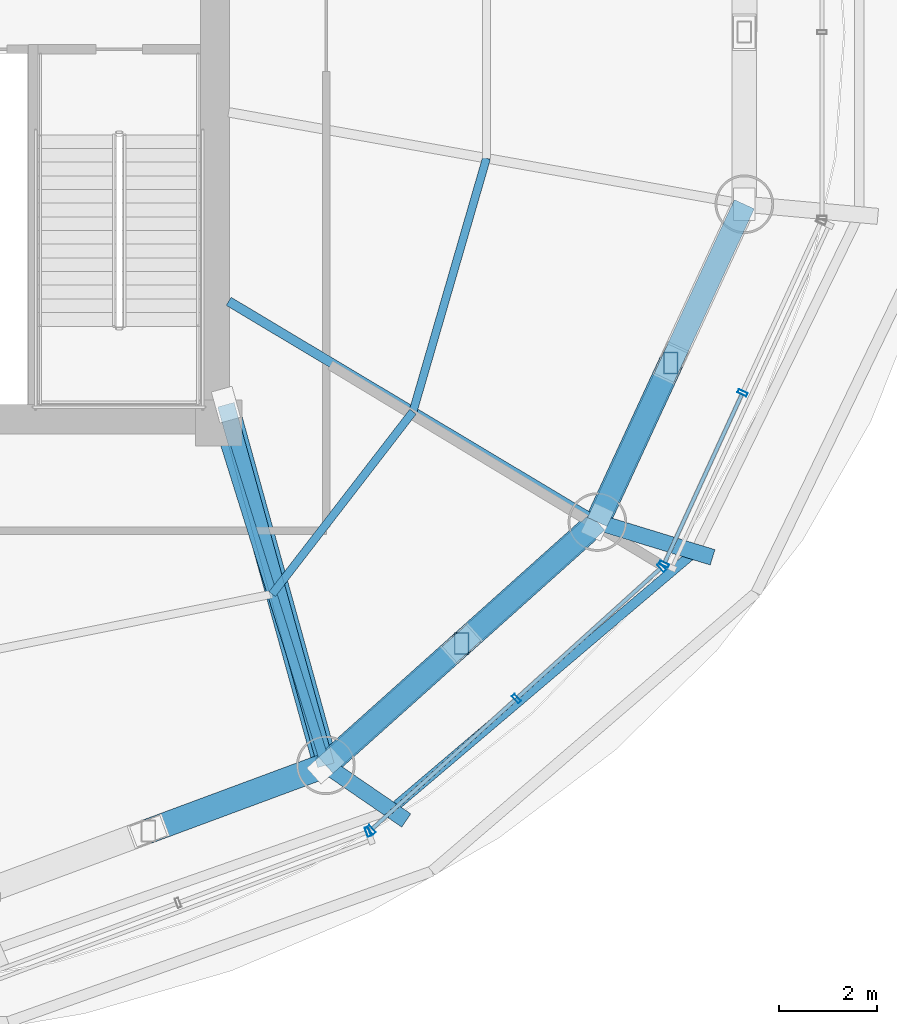
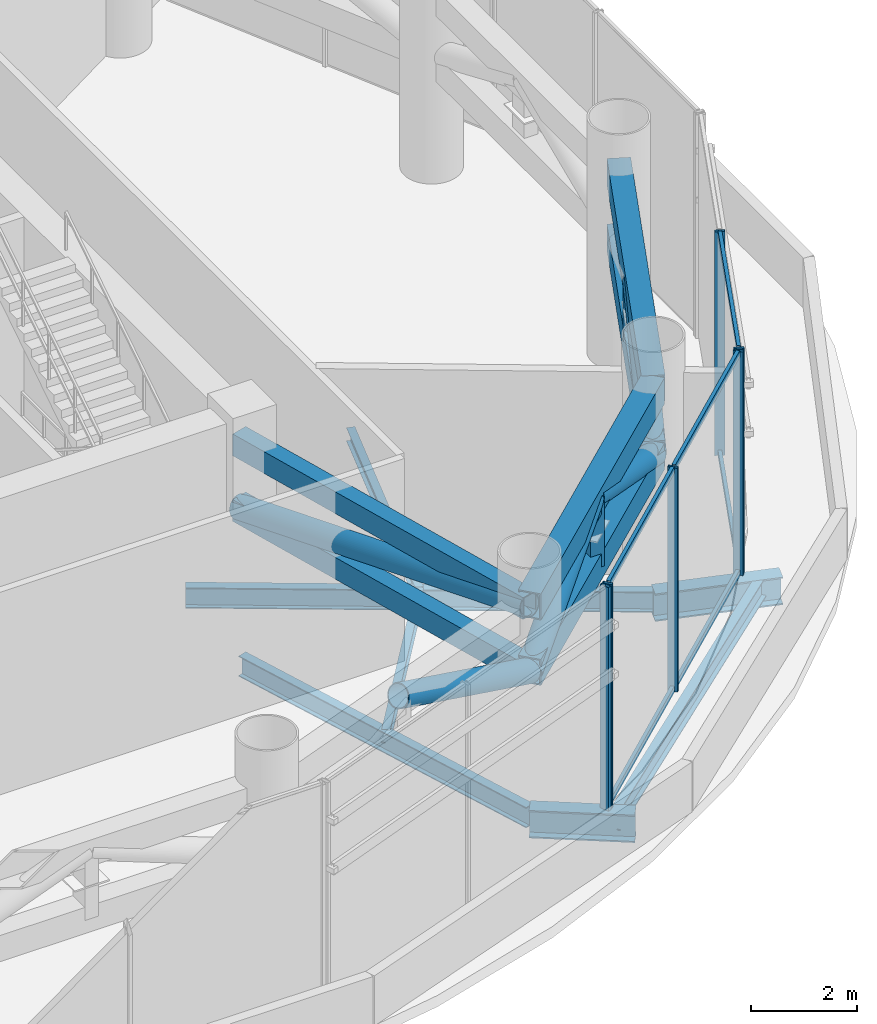
# One storey, part 10 of 25: 25 members, 7 beams, 3 elements without a shape of their own.
"""IFC4 building model written with IfcOpenShell, lengths in metres."""

from ifc_helpers import new_model, si_unit, direction, frame, origin, origin_2d, place, context, subcontext, project, spatial, hollow_rectangle, hollow_circle, i_section, extrude, source, transform, mapped, material, material_profile, profile_set, type_object, element, aggregate, save


model = new_model("IFC4")

# Units and contexts
model_context = context("Model", 3, precision=1e-05, world=origin(), true_north=direction((-0.2419218956, 0.970295726276)))
body_context = subcontext(model_context, "Body", "Model", "MODEL_VIEW")
ifc_project = project(units=[si_unit("LENGTHUNIT", "METRE"), si_unit("AREAUNIT", "SQUARE_METRE"), si_unit("VOLUMEUNIT", "CUBIC_METRE"), si_unit("PLANEANGLEUNIT", "RADIAN"), si_unit("MASSUNIT", "GRAM", prefix="KILO")], contexts=[model_context])

# Site, building, storey
site_placement = place(None, origin())
site = spatial("IfcSite", under=ifc_project, at=site_placement, CompositionType="ELEMENT")
building_placement = place(site_placement, origin())
building = spatial("IfcBuilding", under=site, at=building_placement, Name="Cobrevalo Terracotta Tower", CompositionType="ELEMENT")
storey_placement = place(building_placement, frame((0.0, 0.0, 185.800048828125)))
storey = spatial("IfcBuildingStorey", under=building, at=storey_placement, Name="L49", CompositionType="ELEMENT", Elevation=185.800048828125)

# Beams
ifc_material_1 = material(Name="Steel S355", Category="steel")
ifc_material_profile_1 = material_profile(ifc_material_1, i_section(OverallWidth=0.194091796875, OverallDepth=0.468994140625, WebThickness=0.011474609375, FlangeThickness=0.0205078125, at=origin_2d()), Name="W 460x106")
ifc_profile_set_1 = profile_set([ifc_material_profile_1], Name="Steel S355")
beam_type_1 = type_object("IfcBeamType", Name="Structural Beam W 460x106 (Steel S355)", PredefinedType="BEAM", material=ifc_profile_set_1)
beam_1_placement = place(storey_placement, frame((49.19482421875, 11.7919921875, -0.6845703125), z_axis=(-0.298871212691, 0.954293454984, 0.0), x_axis=(-0.954293454984, -0.298871212691, 0.0)))
element("IfcBeam", 1, at=beam_1_placement, inside=storey, type_object=beam_type_1, Name="L49 radial floor girder 14", PredefinedType="BEAM", context=body_context, shape_type="SweptSolid", body=[
    extrude(i_section(OverallWidth=0.194091796875, OverallDepth=0.468994140625, WebThickness=0.011474609375, FlangeThickness=0.0205078125, at=origin_2d()), origin(), (0.0, 0.0, 1.0), 7.34375),
])
beam_2_placement = place(storey_placement, frame((54.754150390625, 16.77197265625, -0.6845703125), z_axis=(-0.858038452613, 0.513585449402, 0.0), x_axis=(-0.513585449402, -0.858038452613, 0.0)))
element("IfcBeam", 2, at=beam_2_placement, inside=storey, type_object=beam_type_1, Name="L49 radial floor girder 15", PredefinedType="BEAM", context=body_context, shape_type="SweptSolid", body=[
    extrude(i_section(OverallWidth=0.194091796875, OverallDepth=0.468994140625, WebThickness=0.011474609375, FlangeThickness=0.0205078125, at=origin_2d()), origin(), (0.0, 0.0, 1.0), 8.798095703125),
])
ifc_material_profile_2 = material_profile(ifc_material_1, i_section(OverallWidth=0.3291015625, OverallDepth=0.635009765625, WebThickness=0.017822265625, FlangeThickness=0.031005859375, at=origin_2d()), Name="W 610x241")
ifc_profile_set_2 = profile_set([ifc_material_profile_2], Name="Steel S355")
beam_type_2 = type_object("IfcBeamType", Name="Structural Beam W 610x241 (Steel S355)", PredefinedType="BEAM", material=ifc_profile_set_2)
beam_3_placement = place(storey_placement, frame((50.841552734375, 10.662353515625, -0.767578125), z_axis=(-0.824622940219, 0.565682779006, 0.0), x_axis=(-0.565682779006, -0.824622940219, 0.0)))
element("IfcBeam", 3, at=beam_3_placement, inside=storey, type_object=beam_type_2, Name="L49 setback step-link girder 14", PredefinedType="BEAM", context=body_context, shape_type="SweptSolid", body=[
    extrude(i_section(OverallWidth=0.3291015625, OverallDepth=0.635009765625, WebThickness=0.017822265625, FlangeThickness=0.031005859375, at=origin_2d()), origin(), (0.0, 0.0, 1.0), 1.996826171875),
])
beam_4_placement = place(storey_placement, frame((57.113037109375, 16.049560546875, -0.767578125), z_axis=(-0.956165466877, 0.292826911249, 0.0), x_axis=(-0.292826911249, -0.956165466877, 0.0)))
element("IfcBeam", 4, at=beam_4_placement, inside=storey, type_object=beam_type_2, Name="L49 setback step-link girder 15", PredefinedType="BEAM", context=body_context, shape_type="SweptSolid", body=[
    extrude(i_section(OverallWidth=0.3291015625, OverallDepth=0.635009765625, WebThickness=0.017822265625, FlangeThickness=0.031005859375, at=origin_2d()), origin(), (0.0, 0.0, 1.0), 2.467041015625),
])
ifc_material_profile_3 = material_profile(ifc_material_1, i_section(OverallWidth=0.1650390625, OverallDepth=0.31005859375, WebThickness=0.005859375, FlangeThickness=0.009765625, at=origin_2d()), Name="W 310x38.7")
ifc_profile_set_3 = profile_set([ifc_material_profile_3], Name="Steel S355")
beam_type_3 = type_object("IfcBeamType", Name="Structural Joist W 310x38.7 (Steel S355)", PredefinedType="JOIST", material=ifc_profile_set_3)
beam_5_placement = place(storey_placement, frame((48.097412109375, 15.2958984375, -0.60498046875), z_axis=(0.61087296872, 0.791728625279, 0.0), x_axis=(-0.791728625279, 0.61087296872, 0.0)))
element("IfcBeam", 5, at=beam_5_placement, inside=storey, type_object=beam_type_3, Name="L49 circumferential secondary floor joist 14", PredefinedType="JOIST", context=body_context, shape_type="SweptSolid", body=[
    extrude(i_section(OverallWidth=0.1650390625, OverallDepth=0.31005859375, WebThickness=0.005859375, FlangeThickness=0.009765625, at=origin_2d()), origin(), (0.0, 0.0, 1.0), 4.718017578125),
])
beam_6_placement = place(storey_placement, frame((50.9794921875, 19.03125, -0.60498046875), z_axis=(0.278503604802, 0.960435183712, 0.0), x_axis=(-0.960435183712, 0.278503604802, 0.0)))
element("IfcBeam", 6, at=beam_6_placement, inside=storey, type_object=beam_type_3, Name="L49 circumferential secondary floor joist 15", PredefinedType="JOIST", context=body_context, shape_type="SweptSolid", body=[
    extrude(i_section(OverallWidth=0.1650390625, OverallDepth=0.31005859375, WebThickness=0.005859375, FlangeThickness=0.009765625, at=origin_2d()), origin(), (0.0, 0.0, 1.0), 5.401611328125),
])
ifc_material_profile_4 = material_profile(ifc_material_1, i_section(OverallWidth=0.194091796875, OverallDepth=0.468994140625, WebThickness=0.011474609375, FlangeThickness=0.0205078125, at=origin_2d()), Name="W 460x106")
ifc_profile_set_4 = profile_set([ifc_material_profile_4], Name="Steel S355")
beam_type_4 = type_object("IfcBeamType", Name="Structural Spandrel W 460x106 (Steel S355)", PredefinedType="SPANDREL", material=ifc_profile_set_4)
beam_7_placement = place(storey_placement, frame((50.528076171875, 10.87744140625, -0.6845703125), z_axis=(0.762240337798, 0.647294112003, 0.0), x_axis=(-0.647294112003, 0.762240337798, 0.0)))
element("IfcBeam", 7, at=beam_7_placement, inside=storey, type_object=beam_type_4, Name="L49 perimeter ring spandrel 14", PredefinedType="SPANDREL", context=body_context, shape_type="SweptSolid", body=[
    extrude(i_section(OverallWidth=0.194091796875, OverallDepth=0.468994140625, WebThickness=0.011474609375, FlangeThickness=0.0205078125, at=origin_2d()), origin(), (0.0, 0.0, 1.0), 8.162353515625),
])

# Members
ifc_material_profile_5 = material_profile(ifc_material_1, hollow_rectangle(XDim=0.449951171875, YDim=0.60009765625, WallThickness=0.028076171875, at=origin_2d()), Name="RHS 600x450x28")
ifc_profile_set_5 = profile_set([ifc_material_profile_5], Name="Steel S355")
member_type_1 = type_object("IfcMemberType", Name="Steel Chord RHS 600x450x28 (Steel S355)", PredefinedType="CHORD", material=ifc_profile_set_5)
shared_shape_1 = source(origin(), body_context, "Body", "SweptSolid", [
    extrude(hollow_rectangle(XDim=0.449951171875, YDim=0.60009765625, WallThickness=0.028076171875, at=origin_2d()), origin(), (0.0, 0.0, 1.0), 7.168701171875),
])
for number, where, z_axis, x_axis, name in (
    (8, (54.754150390625, 16.77197265625, 2.64990234375), (0.419718939129, 0.90765412583, 0.0), (-0.90765412583, 0.419718939129, 0.0), "L49 belt truss chord 15-BC"),
    (9, (54.754150390625, 16.77197265625, 4.155029296875), (0.419718939129, 0.90765412583, 0.0), (-0.90765412583, 0.419718939129, 0.0), "L49 belt truss chord 15-TC"),
):
    element("IfcMember", number, at=place(storey_placement, frame(where, z_axis=z_axis, x_axis=x_axis)), inside=storey, type_object=member_type_1, Name=name, PredefinedType="CHORD", context=body_context, shape_type="MappedRepresentation", body=[
        mapped(shared_shape_1, transform((0.0, 0.0, 0.0), scale=1.0)),
    ])
ifc_material_profile_6 = material_profile(ifc_material_1, hollow_rectangle(XDim=0.300048828125, YDim=0.449951171875, WallThickness=0.02001953125, at=origin_2d()), Name="RHS 450x300x20")
ifc_profile_set_6 = profile_set([ifc_material_profile_6], Name="Steel S355")
member_type_2 = type_object("IfcMemberType", Name="Steel Post RHS 450x300x20 (Steel S355)", PredefinedType="POST", material=ifc_profile_set_6)
shared_shape_2 = source(origin(), body_context, "Body", "SweptSolid", [
    extrude(hollow_rectangle(XDim=0.300048828125, YDim=0.449951171875, WallThickness=0.02001953125, at=origin_2d()), origin(), (0.0, 0.0, 1.0), 1.505126953125),
])
for number, where, z_axis, x_axis, name in (
    (10, (51.974365234375, 14.281982421875, 2.64990234375), (0.0, 0.0, 1.0), (1.0, 0.0, 0.0), "L49 belt truss post 14"),
    (11, (56.258544921875, 20.025390625, 2.64990234375), (0.0, 0.0, 1.0), (1.0, 0.0, 0.0), "L49 belt truss post 15"),
):
    element("IfcMember", number, at=place(storey_placement, frame(where, z_axis=z_axis, x_axis=x_axis)), inside=storey, type_object=member_type_2, Name=name, PredefinedType="POST", context=body_context, shape_type="MappedRepresentation", body=[
        mapped(shared_shape_2, transform((0.0, 0.0, 0.0), scale=1.0)),
    ])
ifc_material_profile_7 = material_profile(ifc_material_1, hollow_circle(Radius=0.25390625, WallThickness=0.02001953125, at=origin_2d()), Name="CHS 508x20")
ifc_profile_set_7 = profile_set([ifc_material_profile_7], Name="Steel S355")
member_type_3 = type_object("IfcMemberType", Name="Steel Brace CHS 508x20 (Steel S355)", PredefinedType="BRACE", material=ifc_profile_set_7)
shared_shape_3 = source(origin(), body_context, "Body", "SweptSolid", [
    extrude(hollow_circle(Radius=0.25390625, WallThickness=0.02001953125, at=origin_2d()), origin(), (0.0, 0.0, 1.0), 3.8876953125),
])
member_1_placement = place(storey_placement, frame((54.754150390625, 16.77197265625, 2.64990234375), z_axis=(0.386973780964, 0.836873191355, 0.387162181052), x_axis=(-0.907660125176, 0.419705965131, 0.0)))
element("IfcMember", 12, at=member_1_placement, inside=storey, type_object=member_type_3, Name="L49 belt truss diagonal brace 15-D1", PredefinedType="BRACE", context=body_context, shape_type="MappedRepresentation", body=[
    mapped(shared_shape_3, transform((0.0, 0.0, 0.0), scale=1.0)),
])
shared_shape_4 = source(origin(), body_context, "Body", "SweptSolid", [
    extrude(hollow_rectangle(XDim=0.449951171875, YDim=0.60009765625, WallThickness=0.028076171875, at=origin_2d()), origin(), (0.0, 0.0, 1.0), 7.463623046875),
])
for number, where, z_axis, x_axis, name in (
    (13, (49.19482421875, 11.7919921875, 2.64990234375), (0.744851930997, 0.667229796165, 0.0), (-0.667229796165, 0.744851930997, 0.0), "L49 belt truss chord 14-BC"),
    (14, (49.19482421875, 11.7919921875, 4.155029296875), (0.744851930997, 0.667229796165, 0.0), (-0.667229796165, 0.744851930997, 0.0), "L49 belt truss chord 14-TC"),
):
    element("IfcMember", number, at=place(storey_placement, frame(where, z_axis=z_axis, x_axis=x_axis)), inside=storey, type_object=member_type_1, Name=name, PredefinedType="CHORD", context=body_context, shape_type="MappedRepresentation", body=[
        mapped(shared_shape_4, transform((0.0, 0.0, 0.0), scale=1.0)),
    ])
shared_shape_5 = source(origin(), body_context, "Body", "SweptSolid", [
    extrude(hollow_circle(Radius=0.25390625, WallThickness=0.02001953125, at=origin_2d()), origin(), (0.0, 0.0, 1.0), 4.02392578125),
])
for number, where, z_axis, x_axis, name in (
    (15, (49.19482421875, 11.7919921875, 2.64990234375), (0.690767881971, 0.618809102172, 0.374052173241), (-0.667246053133, 0.744837367872, 0.0), "L49 belt truss diagonal brace 14-D1"),
    (16, (54.754150390625, 16.77197265625, 2.64990234375), (-0.690799602497, -0.618783167563, 0.374036496522), (0.667213539671, -0.744866493057, 0.0), "L49 belt truss diagonal brace 14-D2"),
):
    element("IfcMember", number, at=place(storey_placement, frame(where, z_axis=z_axis, x_axis=x_axis)), inside=storey, type_object=member_type_3, Name=name, PredefinedType="BRACE", context=body_context, shape_type="MappedRepresentation", body=[
        mapped(shared_shape_5, transform((0.0, 0.0, 0.0), scale=1.0)),
    ])
shared_shape_6 = source(origin(), body_context, "Body", "SweptSolid", [
    extrude(hollow_circle(Radius=0.25390625, WallThickness=0.02001953125, at=origin_2d()), origin(), (0.0, 0.0, 1.0), 4.156005859375),
])
member_2_placement = place(storey_placement, frame((49.19482421875, 11.7919921875, 2.64990234375), z_axis=(-0.873890886812, -0.324272499005, 0.362163035574), x_axis=(0.347889027276, -0.93753571916, 0.0)))
element("IfcMember", 17, at=member_2_placement, inside=storey, type_object=member_type_3, Name="L49 belt truss diagonal brace 13-D2", PredefinedType="BRACE", context=body_context, shape_type="MappedRepresentation", body=[
    mapped(shared_shape_6, transform((0.0, 0.0, 0.0), scale=1.0)),
])
ifc_material_profile_8 = material_profile(ifc_material_1, hollow_rectangle(XDim=0.35009765625, YDim=0.5, WallThickness=0.02197265625, at=origin_2d()), Name="RHS 500x350x22")
ifc_profile_set_8 = profile_set([ifc_material_profile_8], Name="Steel S355")
member_type_4 = type_object("IfcMemberType", Name="Steel Chord RHS 500x350x22 (Steel S355)", PredefinedType="CHORD", material=ifc_profile_set_8)
shared_shape_7 = source(origin(), body_context, "Body", "SweptSolid", [
    extrude(hollow_rectangle(XDim=0.35009765625, YDim=0.5, WallThickness=0.02197265625, at=origin_2d()), origin(), (0.0, 0.0, 1.0), 7.6611328125),
])
for number, where, z_axis, x_axis, name in (
    (18, (47.14990234375, 19.175048828125, 2.64990234375), (0.266925528962, -0.963717158708, 0.0), (0.963717158708, 0.266925528962, 0.0), "L49 radial outrigger bottom chord 4"),
    (19, (47.14990234375, 19.175048828125, 4.155029296875), (0.266925528962, -0.963717158708, 0.0), (0.963717158708, 0.266925528962, 0.0), "L49 radial outrigger top chord 4"),
):
    element("IfcMember", number, at=place(storey_placement, frame(where, z_axis=z_axis, x_axis=x_axis)), inside=storey, type_object=member_type_4, Name=name, PredefinedType="CHORD", context=body_context, shape_type="MappedRepresentation", body=[
        mapped(shared_shape_7, transform((0.0, 0.0, 0.0), scale=1.0)),
    ])
shared_shape_8 = source(origin(), body_context, "Body", "SweptSolid", [
    extrude(hollow_circle(Radius=0.25390625, WallThickness=0.02001953125, at=origin_2d()), origin(), (0.0, 0.0, 1.0), 7.807373046875),
])
member_3_placement = place(storey_placement, frame((47.14990234375, 19.175048828125, 2.64990234375), z_axis=(0.261918525891, -0.945639701705, 0.192780290368), x_axis=(0.963717158708, 0.266925528962, 0.0)))
element("IfcMember", 20, at=member_3_placement, inside=storey, type_object=member_type_3, Name="L49 radial outrigger diagonal brace 4A", PredefinedType="BRACE", context=body_context, shape_type="MappedRepresentation", body=[
    mapped(shared_shape_8, transform((0.0, 0.0, 0.0), scale=1.0)),
])

# Curtain wall, member
ifc_material_2 = material(Name="Anodized aluminium", Category="aluminium")
curtain_wall_type = type_object("IfcCurtainWallType", Name="Belt-truss plant acoustic weather-louvre curtain wall CW-LV", PredefinedType="NOTDEFINED", material=ifc_material_2)
curtain_wall_1_placement = place(storey_placement, origin())
curtain_wall_1 = element("IfcCurtainWall", 21, at=curtain_wall_1_placement, inside=storey, type_object=curtain_wall_type, Name="L49 curtain wall CW-LV-L49-S13", PredefinedType="NOTDEFINED")
ifc_material_profile_9 = material_profile(ifc_material_2, hollow_rectangle(XDim=0.074951171875, YDim=0.199951171875, WallThickness=0.0048828125, at=origin_2d()), Name="CWM 75x200")
ifc_profile_set_9 = profile_set([ifc_material_profile_9], Name="Anodized aluminium")
member_type_5 = type_object("IfcMemberType", Name="Lower/mid tower unitised mullion 75x200", PredefinedType="MULLION", material=ifc_profile_set_9)
shared_shape_9 = source(origin(), body_context, "Body", "SweptSolid", [
    extrude(hollow_rectangle(XDim=0.074951171875, YDim=0.199951171875, WallThickness=0.0048828125, at=origin_2d()), origin(), (0.0, 0.0, 1.0), 5.135009765625),
])
member_4_placement = place(storey_placement, frame((50.057373046875, 10.430908203125, 0.0), z_axis=(0.0, 0.0, 1.0), x_axis=(0.936556004584, 0.350517974259, 0.0)))
member_4 = element("IfcMember", 22, at=member_4_placement, type_object=member_type_5, Name="CW-LV-L49-S13 vertical mullion 03", PredefinedType="MULLION", context=body_context, shape_type="MappedRepresentation", body=[
    mapped(shared_shape_9, transform((0.0, 0.0, 0.0), scale=1.0)),
])
aggregate(curtain_wall_1, [member_4])

# Curtain wall, members
curtain_wall_2_placement = place(storey_placement, origin())
curtain_wall_2 = element("IfcCurtainWall", 23, at=curtain_wall_2_placement, inside=storey, type_object=curtain_wall_type, Name="L49 curtain wall CW-LV-L49-S14", PredefinedType="NOTDEFINED")
member_5_placement = place(storey_placement, frame((50.12451171875, 10.471923828125, 0.0), z_axis=(0.0, 0.0, 1.0), x_axis=(0.741987542015, 0.670413668935, 0.0)))
member_5 = element("IfcMember", 24, at=member_5_placement, type_object=member_type_5, Name="CW-LV-L49-S14 vertical mullion 01", PredefinedType="MULLION", context=body_context, shape_type="MappedRepresentation", body=[
    mapped(shared_shape_9, transform((0.0, 0.0, 0.0), scale=1.0)),
])
member_6_placement = place(storey_placement, frame((53.097900390625, 13.158447265625, 0.0), z_axis=(0.0, 0.0, 1.0), x_axis=(0.741987542015, 0.670413668935, 0.0)))
member_6 = element("IfcMember", 25, at=member_6_placement, type_object=member_type_5, Name="CW-LV-L49-S14 vertical mullion 02", PredefinedType="MULLION", context=body_context, shape_type="MappedRepresentation", body=[
    mapped(shared_shape_9, transform((0.0, 0.0, 0.0), scale=1.0)),
])
member_7_placement = place(storey_placement, frame((56.071533203125, 15.84521484375, 0.0), z_axis=(0.0, 0.0, 1.0), x_axis=(0.741987542015, 0.670413668935, 0.0)))
member_7 = element("IfcMember", 26, at=member_7_placement, type_object=member_type_5, Name="CW-LV-L49-S14 vertical mullion 03", PredefinedType="MULLION", context=body_context, shape_type="MappedRepresentation", body=[
    mapped(shared_shape_9, transform((0.0, 0.0, 0.0), scale=1.0)),
])

curtain_wall_3_placement = place(storey_placement, origin())
curtain_wall_3 = element("IfcCurtainWall", 27, at=curtain_wall_3_placement, inside=storey, type_object=curtain_wall_type, Name="L49 curtain wall CW-LV-L49-S15", PredefinedType="NOTDEFINED")
member_8_placement = place(storey_placement, frame((56.11767578125, 15.908203125, 0.0), z_axis=(0.0, 0.0, 1.0), x_axis=(0.41672507912, 0.909032567311, 0.0)))
member_8 = element("IfcMember", 28, at=member_8_placement, type_object=member_type_5, Name="CW-LV-L49-S15 vertical mullion 01", PredefinedType="MULLION", context=body_context, shape_type="MappedRepresentation", body=[
    mapped(shared_shape_9, transform((0.0, 0.0, 0.0), scale=1.0)),
])
member_9_placement = place(storey_placement, frame((57.726318359375, 19.417236328125, 0.0), z_axis=(0.0, 0.0, 1.0), x_axis=(0.41672507912, 0.909032567311, 0.0)))
member_9 = element("IfcMember", 29, at=member_9_placement, type_object=member_type_5, Name="CW-LV-L49-S15 vertical mullion 02", PredefinedType="MULLION", context=body_context, shape_type="MappedRepresentation", body=[
    mapped(shared_shape_9, transform((0.0, 0.0, 0.0), scale=1.0)),
])
ifc_material_profile_10 = material_profile(ifc_material_2, hollow_rectangle(XDim=0.074951171875, YDim=0.14990234375, WallThickness=0.00439453125, at=origin_2d()), Name="CWT 75x150")
ifc_profile_set_10 = profile_set([ifc_material_profile_10], Name="Anodized aluminium")
member_type_6 = type_object("IfcMemberType", Name="Tower unitised aluminium transom 75x150", PredefinedType="USERDEFINED", material=ifc_profile_set_10)
shared_shape_10 = source(origin(), body_context, "Body", "SweptSolid", [
    extrude(hollow_rectangle(XDim=0.074951171875, YDim=0.14990234375, WallThickness=0.00439453125, at=origin_2d()), origin(), (0.0, 0.0, 1.0), 3.780029296875),
])
member_10_placement = place(storey_placement, frame((56.134521484375, 15.944580078125, 0.050048828125), z_axis=(0.416705859352, 0.909041377926, 0.0), x_axis=(-0.909041377926, 0.416705859352, 0.0)))
member_10 = element("IfcMember", 30, at=member_10_placement, type_object=member_type_6, Name="CW-LV-L49-S15 transom B01-T1", ObjectType="TRANSOM", PredefinedType="USERDEFINED", context=body_context, shape_type="MappedRepresentation", body=[
    mapped(shared_shape_10, transform((0.0, 0.0, 0.0), scale=1.0)),
])
member_11_placement = place(storey_placement, frame((56.134521484375, 15.944580078125, 5.0849609375), z_axis=(0.416705859352, 0.909041377926, 0.0), x_axis=(-0.909041377926, 0.416705859352, 0.0)))
member_11 = element("IfcMember", 31, at=member_11_placement, type_object=member_type_6, Name="CW-LV-L49-S15 transom B01-T2", ObjectType="TRANSOM", PredefinedType="USERDEFINED", context=body_context, shape_type="MappedRepresentation", body=[
    mapped(shared_shape_10, transform((0.0, 0.0, 0.0), scale=1.0)),
])
aggregate(curtain_wall_3, [member_8, member_9, member_10, member_11])

# Member
shared_shape_11 = source(origin(), body_context, "Body", "SweptSolid", [
    extrude(hollow_rectangle(XDim=0.074951171875, YDim=0.14990234375, WallThickness=0.00439453125, at=origin_2d()), origin(), (0.0, 0.0, 1.0), 3.927490234375),
])
member_12_placement = place(storey_placement, frame((53.127685546875, 13.185302734375, 0.050048828125), z_axis=(0.741975952623, 0.670426495396, 0.0), x_axis=(-0.670426495396, 0.741975952623, 0.0)))
member_12 = element("IfcMember", 32, at=member_12_placement, type_object=member_type_6, Name="CW-LV-L49-S14 transom B02-T1", ObjectType="TRANSOM", PredefinedType="USERDEFINED", context=body_context, shape_type="MappedRepresentation", body=[
    mapped(shared_shape_11, transform((0.0, 0.0, 0.0), scale=1.0)),
])

member_13_placement = place(storey_placement, frame((53.127685546875, 13.185302734375, 5.0849609375), z_axis=(0.741975952623, 0.670426495396, 0.0), x_axis=(-0.670426495396, 0.741975952623, 0.0)))
member_13 = element("IfcMember", 33, at=member_13_placement, type_object=member_type_6, Name="CW-LV-L49-S14 transom B02-T2", ObjectType="TRANSOM", PredefinedType="USERDEFINED", context=body_context, shape_type="MappedRepresentation", body=[
    mapped(shared_shape_11, transform((0.0, 0.0, 0.0), scale=1.0)),
])

shared_shape_12 = source(origin(), body_context, "Body", "SweptSolid", [
    extrude(hollow_rectangle(XDim=0.074951171875, YDim=0.14990234375, WallThickness=0.00439453125, at=origin_2d()), origin(), (0.0, 0.0, 1.0), 3.927734375),
])
member_14_placement = place(storey_placement, frame((50.154052734375, 10.49853515625, 0.050048828125), z_axis=(0.742003891138, 0.670395573923, 0.0), x_axis=(-0.670395573923, 0.742003891138, 0.0)))
member_14 = element("IfcMember", 34, at=member_14_placement, type_object=member_type_6, Name="CW-LV-L49-S14 transom B01-T1", ObjectType="TRANSOM", PredefinedType="USERDEFINED", context=body_context, shape_type="MappedRepresentation", body=[
    mapped(shared_shape_12, transform((0.0, 0.0, 0.0), scale=1.0)),
])

member_15_placement = place(storey_placement, frame((50.154052734375, 10.49853515625, 5.0849609375), z_axis=(0.742003891138, 0.670395573923, 0.0), x_axis=(-0.670395573923, 0.742003891138, 0.0)))
member_15 = element("IfcMember", 35, at=member_15_placement, type_object=member_type_6, Name="CW-LV-L49-S14 transom B01-T2", ObjectType="TRANSOM", PredefinedType="USERDEFINED", context=body_context, shape_type="MappedRepresentation", body=[
    mapped(shared_shape_12, transform((0.0, 0.0, 0.0), scale=1.0)),
])

aggregate(curtain_wall_2, [member_5, member_6, member_7, member_14, member_15, member_12, member_13])

save(model, "model.ifc")
